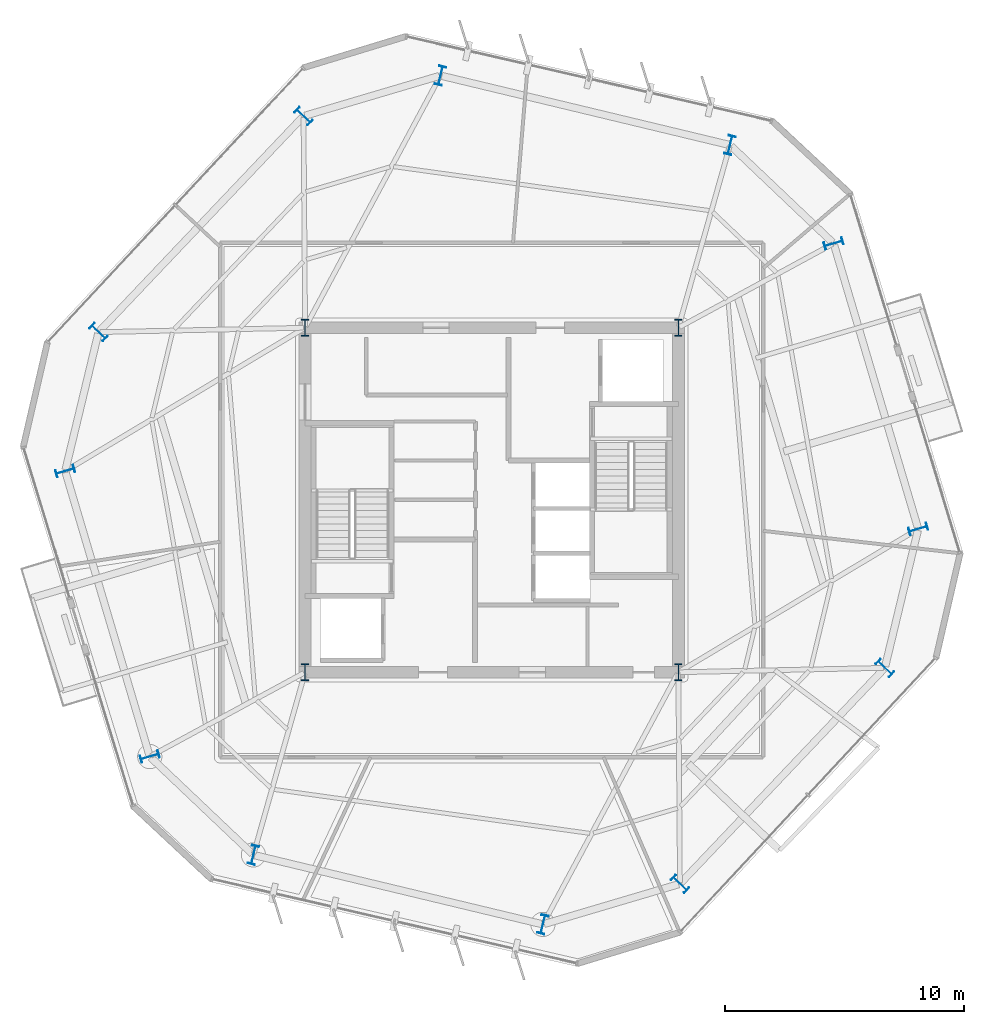
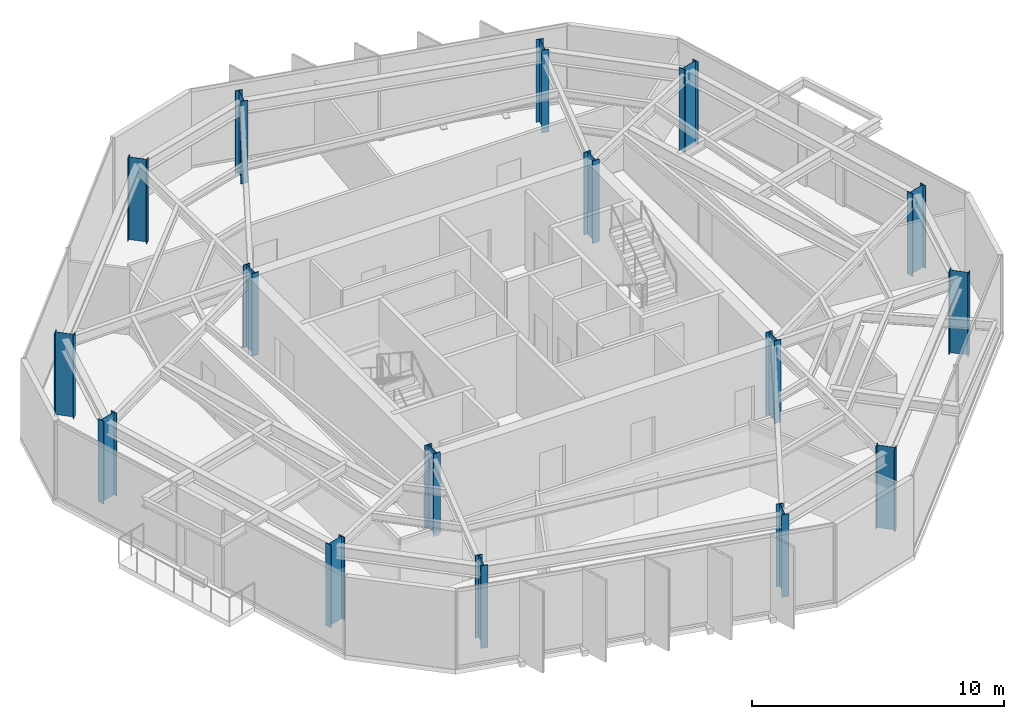
# One storey, part 1 of 11: 16 columns.
"""IFC4 building model written with IfcOpenShell, lengths in metres."""

from ifc_helpers import new_model, si_unit, direction, frame, origin, origin_2d, place, context, subcontext, project, spatial, i_section, extrude, material, material_profile, profile_set, type_object, element, save


model = new_model("IFC4")

# Units and contexts
model_context = context("Model", 3, precision=1e-05, world=origin(), true_north=direction((0.0, 1.0)))
body_context = subcontext(model_context, "Body", "Model", "MODEL_VIEW")
ifc_project = project(units=[si_unit("LENGTHUNIT", "METRE"), si_unit("AREAUNIT", "SQUARE_METRE"), si_unit("VOLUMEUNIT", "CUBIC_METRE"), si_unit("PLANEANGLEUNIT", "RADIAN"), si_unit("MASSUNIT", "GRAM", prefix="KILO")], contexts=[model_context])

# Site, building, storey
site_placement = place(None, origin())
site = spatial("IfcSite", under=ifc_project, at=site_placement, CompositionType="ELEMENT")
building_placement = place(site_placement, origin())
building = spatial("IfcBuilding", under=site, at=building_placement, Name="Kranzbogen Civic Tower", CompositionType="ELEMENT")
storey_placement = place(building_placement, frame((0.0, 0.0, 212.800048828125)))
storey = spatial("IfcBuildingStorey", under=building, at=storey_placement, Name="L51", CompositionType="ELEMENT", Elevation=212.800048828125)

# Columns
ifc_material_1 = material(Name="Steel S355", Category="steel")
ifc_material_profile_1 = material_profile(ifc_material_1, i_section(OverallWidth=0.300048828125, OverallDepth=0.800048828125, WebThickness=0.017578125, FlangeThickness=0.032958984375, at=origin_2d()), Name="HEB 800")
ifc_profile_set_1 = profile_set([ifc_material_profile_1], Name="Steel S355")
column_type_1 = type_object("IfcColumnType", Name="Structural Column HEB 800", PredefinedType="COLUMN", material=ifc_profile_set_1)
for number, where, z_axis, x_axis, name in (
    (1, (34.9609375, 39.8349609375, 0.0), (0.0, 0.0, 1.0), (-0.972369920398, 0.233445363856, 0.0), "L51 tower perimeter tube column 01"),
    (2, (22.860107421875, 42.739990234375, 0.0), (0.0, 0.0, 1.0), (-0.972369920398, 0.233445363856, 0.0), "L51 tower perimeter tube column 02"),
    (3, (17.133056640625, 41.0439453125, 0.0), (0.0, 0.0, 1.0), (0.688354575694, 0.725374371012, 0.0), "L51 tower perimeter tube column 03"),
    (4, (8.56689453125, 32.01611328125, 0.0), (0.0, 0.0, 1.0), (0.688354575694, 0.725374371012, 0.0), "L51 tower perimeter tube column 04"),
    (5, (7.172119140625, 26.208984375, 0.0), (0.0, 0.0, 1.0), (-0.284015344704, 0.958819734868, 0.0), "L51 tower perimeter tube column 05"),
    (6, (10.70703125, 14.27587890625, 0.0), (0.0, 0.0, 1.0), (-0.284015344704, 0.958819734868, 0.0), "L51 tower perimeter tube column 06"),
    (7, (15.0390625, 10.1650390625, 0.0), (0.0, 0.0, 1.0), (-0.972369920398, 0.233445363856, 0.0), "L51 tower perimeter tube column 07"),
    (8, (27.139892578125, 7.260009765625, 0.0), (0.0, 0.0, 1.0), (-0.972369920398, 0.233445363856, 0.0), "L51 tower perimeter tube column 08"),
    (9, (32.866943359375, 8.9560546875, 0.0), (0.0, 0.0, 1.0), (0.688354575694, 0.725374371012, 0.0), "L51 tower perimeter tube column 09"),
    (10, (41.43310546875, 17.98388671875, 0.0), (0.0, 0.0, 1.0), (0.688354575694, 0.725374371012, 0.0), "L51 tower perimeter tube column 10"),
    (11, (42.827880859375, 23.791015625, 0.0), (0.0, 0.0, 1.0), (-0.284015344704, 0.958819734868, 0.0), "L51 tower perimeter tube column 11"),
    (12, (39.29296875, 35.72412109375, 0.0), (0.0, 0.0, 1.0), (-0.284015344704, 0.958819734868, 0.0), "L51 tower perimeter tube column 12"),
):
    element("IfcColumn", number, at=place(storey_placement, frame(where, z_axis=z_axis, x_axis=x_axis)), inside=storey, type_object=column_type_1, Name=name, PredefinedType="COLUMN", context=body_context, shape_type="SweptSolid", body=[
        extrude(i_section(OverallWidth=0.300048828125, OverallDepth=0.800048828125, WebThickness=0.017578125, FlangeThickness=0.032958984375, at=origin_2d()), origin(), (0.0, 0.0, 1.0), 4.0),
    ])
ifc_material_2 = material(Name="Steel S460", Category="steel")
ifc_material_profile_2 = material_profile(ifc_material_2, i_section(OverallWidth=0.303955078125, OverallDepth=0.716064453125, WebThickness=0.02099609375, FlangeThickness=0.0400390625, at=origin_2d()), Name="HEM 700")
ifc_profile_set_2 = profile_set([ifc_material_profile_2], Name="Steel S460")
column_type_2 = type_object("IfcColumnType", Name="Structural Column HEM 700", PredefinedType="COLUMN", material=ifc_profile_set_2)
for number, where, z_axis, x_axis, name in (
    (13, (17.199951171875, 17.800048828125, 0.0), (0.0, 0.0, 1.0), (1.0, 0.0, 0.0), "L51 composite core corner column 1"),
    (14, (32.800048828125, 17.800048828125, 0.0), (0.0, 0.0, 1.0), (1.0, 0.0, 0.0), "L51 composite core corner column 2"),
    (15, (32.800048828125, 32.199951171875, 0.0), (0.0, 0.0, 1.0), (1.0, 0.0, 0.0), "L51 composite core corner column 3"),
    (16, (17.199951171875, 32.199951171875, 0.0), (0.0, 0.0, 1.0), (1.0, 0.0, 0.0), "L51 composite core corner column 4"),
):
    element("IfcColumn", number, at=place(storey_placement, frame(where, z_axis=z_axis, x_axis=x_axis)), inside=storey, type_object=column_type_2, Name=name, PredefinedType="COLUMN", context=body_context, shape_type="SweptSolid", body=[
        extrude(i_section(OverallWidth=0.303955078125, OverallDepth=0.716064453125, WebThickness=0.02099609375, FlangeThickness=0.0400390625, at=origin_2d()), origin(), (0.0, 0.0, 1.0), 4.0),
    ])

save(model, "model.ifc")
